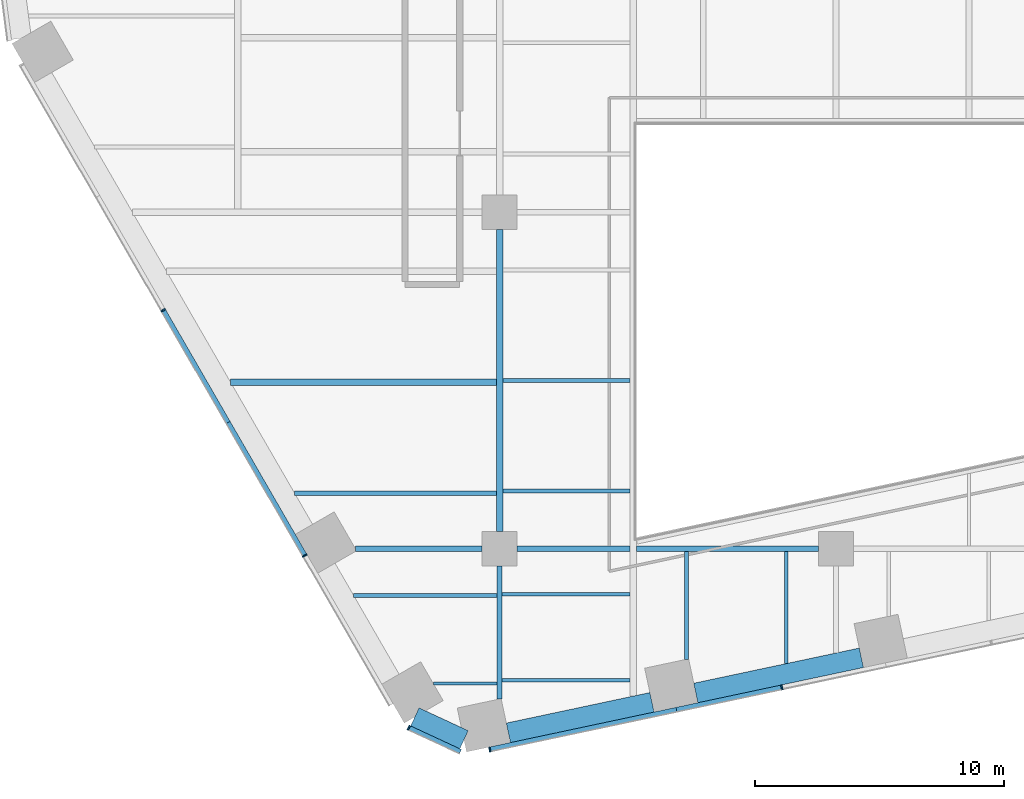
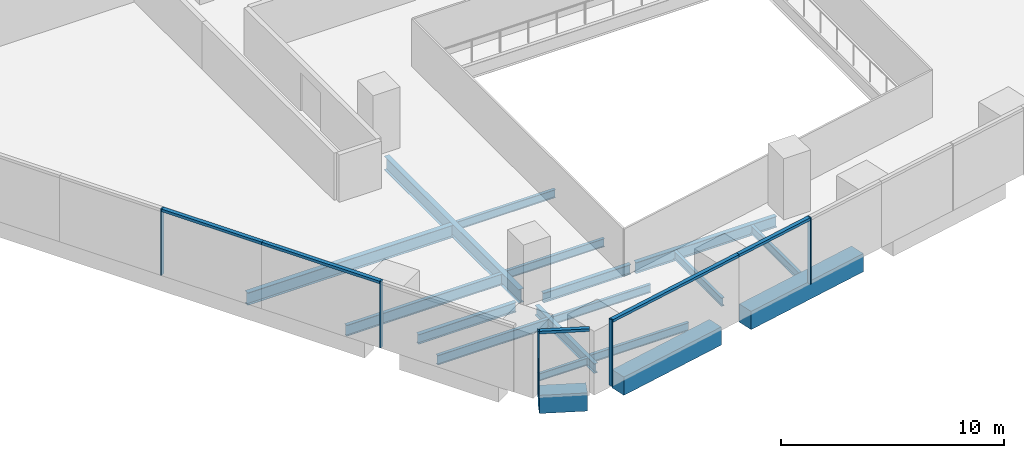
# One storey, part 2 of 20: 18 beams, 10 members, 3 elements without a shape of their own.
"""IFC4 building model written with IfcOpenShell, lengths in metres."""

import ifcopenshell
import ifcopenshell.guid

model = None  # the IFC model being written
_history = None  # IfcOwnerHistory: only IFC2X3 demands one
_inside = {}  # id of a spatial element -> (the spatial element, [elements in it])
_under = {}  # id of a project, library or spatial element -> (it, [spatial elements below it])
_declared = {}  # id of a project -> (the project, [libraries it declares])
_typed = {}  # id of a type object -> (the type object, [elements of that type])
_made_of = {}  # id of a material, layer set ... -> (it, [elements and type objects made of it])


def new_model(schema):
    """Start an empty IFC model of exactly this schema.

    Asked for "IFC4X3", IfcOpenShell would pick the latest addendum, in which some entities
    have other attributes; the version numbers below select the first issue.
    IFC2X3 requires an IfcOwnerHistory on every rooted entity: one is made here for all.
    """
    global model, _history
    if schema == "IFC4X3":
        model = ifcopenshell.file(schema_version=(4, 3, 0, 0))
    else:
        model = ifcopenshell.file(schema=schema)
    _inside.clear()
    _under.clear()
    _declared.clear()
    _typed.clear()
    _made_of.clear()
    _history = None
    if model.schema == "IFC2X3":
        org = make("IfcOrganization", Name="unknown")
        user = make(
            "IfcPersonAndOrganization",
            ThePerson=make("IfcPerson", FamilyName="unknown"),
            TheOrganization=org,
        )
        app = make(
            "IfcApplication",
            ApplicationDeveloper=org,
            Version="unknown",
            ApplicationFullName="unknown",
            ApplicationIdentifier="unknown",
        )
        _history = make(
            "IfcOwnerHistory",
            OwningUser=user,
            OwningApplication=app,
            ChangeAction="ADDED",
            CreationDate=0,
        )
    return model


def make(cls, **values):
    """One entity of the class cls with the attributes given. An attribute that is None is left unset."""
    return model.create_entity(
        cls, **{name: value for name, value in values.items() if value is not None}
    )


def rooted(cls, **values):
    """An entity with a GlobalId (a new one), such as an element, a storey or a relation."""
    return make(cls, GlobalId=ifcopenshell.guid.new(), OwnerHistory=_history, **values)


def si_unit(unit_type, name, prefix=None):
    """IfcSIUnit, for example si_unit("LENGTHUNIT", "METRE", prefix="MILLI")."""
    return make("IfcSIUnit", UnitType=unit_type, Prefix=prefix, Name=name)


def assignment(units):
    """IfcUnitAssignment: the units of a project."""
    return None if units is None else make("IfcUnitAssignment", Units=units)


def point(xyz):
    """IfcCartesianPoint."""
    return None if xyz is None else make("IfcCartesianPoint", Coordinates=xyz)


def direction(xyz):
    """IfcDirection."""
    return None if xyz is None else make("IfcDirection", DirectionRatios=xyz)


def frame(location, z_axis=None, x_axis=None):
    """IfcAxis2Placement3D, a coordinate frame: its origin and axes. An axis left out is left unset."""
    return make(
        "IfcAxis2Placement3D",
        Location=point(location),
        Axis=direction(z_axis),
        RefDirection=direction(x_axis),
    )


def frame_2d(location, x_axis=None):
    """IfcAxis2Placement2D, a coordinate frame in the plane: its origin and x axis."""
    return make(
        "IfcAxis2Placement2D", Location=point(location), RefDirection=direction(x_axis)
    )


def origin():
    """The frame at (0, 0, 0) with its axes left unset."""
    return frame((0.0, 0.0, 0.0))


def origin_2d():
    """The frame at (0, 0) in the plane with its x axis left unset."""
    return frame_2d((0.0, 0.0))


def place(relative_to, where):
    """IfcLocalPlacement: puts the frame where relative to a parent placement (None: the world)."""
    return make(
        "IfcLocalPlacement", PlacementRelTo=relative_to, RelativePlacement=where
    )


def context(
    kind, dimensions, precision=None, world=None, true_north=None, identifier=None
):
    """IfcGeometricRepresentationContext, for example the 3D "Model" context."""
    return make(
        "IfcGeometricRepresentationContext",
        ContextIdentifier=identifier,
        ContextType=kind,
        CoordinateSpaceDimension=dimensions,
        Precision=precision,
        WorldCoordinateSystem=world,
        TrueNorth=true_north,
    )


def subcontext(parent, identifier, kind, view, scale=None):
    """IfcGeometricRepresentationSubContext, for example "Body" below "Model"."""
    return make(
        "IfcGeometricRepresentationSubContext",
        ContextIdentifier=identifier,
        ContextType=kind,
        ParentContext=parent,
        TargetScale=scale,
        TargetView=view,
    )


def project(units=None, contexts=None):
    """IfcProject with its units and contexts."""
    return rooted(
        "IfcProject",
        Name="project",
        RepresentationContexts=contexts,
        UnitsInContext=assignment(units),
    )


def spatial(cls, under=None, at=None, **own):
    """A site, building, storey or space (cls), placed at a placement, below another one or the project."""
    s = rooted(cls, ObjectPlacement=at, **own)
    if under is not None:
        _under.setdefault(under.id(), (under, []))[1].append(s)
    return s


def profile(cls, at=None, kind="AREA", **sizes):
    """A parametric profile (cls). Its sizes go by their IFC names, for example OverallWidth=200.0."""
    return make(cls, ProfileType=kind, Position=at, **sizes)


def rectangle(**sizes):
    """IfcRectangleProfileDef."""
    return profile("IfcRectangleProfileDef", **sizes)


def i_section(**sizes):
    """IfcIShapeProfileDef."""
    return profile("IfcIShapeProfileDef", **sizes)


def extrude(swept, where, along, depth):
    """IfcExtrudedAreaSolid: the profile swept, set in the frame where, extruded along a direction by depth."""
    return make(
        "IfcExtrudedAreaSolid",
        SweptArea=swept,
        Position=where,
        ExtrudedDirection=direction(along),
        Depth=depth,
    )


def shape(context_of_items, identifier, shape_type, items):
    """IfcShapeRepresentation: the items that make up one representation, for example the "Body"."""
    return make(
        "IfcShapeRepresentation",
        ContextOfItems=context_of_items,
        RepresentationIdentifier=identifier,
        RepresentationType=shape_type,
        Items=items,
    )


def material(Name=None, Category=None):
    """IfcMaterial."""
    return make("IfcMaterial", Name=Name, Category=Category)


def layer(
    of_material, thickness, ventilated=None, Name=None, Category=None, Priority=None
):
    """IfcMaterialLayer: one layer of a wall or slab, of a material (None: an air gap)."""
    return make(
        "IfcMaterialLayer",
        Material=of_material,
        LayerThickness=thickness,
        IsVentilated=ventilated,
        Name=Name,
        Category=Category,
        Priority=Priority,
    )


def layer_set(layers, Name=None):
    """IfcMaterialLayerSet."""
    return make("IfcMaterialLayerSet", MaterialLayers=layers, LayerSetName=Name)


def material_profile(
    of_material, cross_section, Name=None, Category=None, Priority=None
):
    """IfcMaterialProfile: a cross section and its material."""
    return make(
        "IfcMaterialProfile",
        Name=Name,
        Material=of_material,
        Profile=cross_section,
        Priority=Priority,
        Category=Category,
    )


def profile_set(profiles, Name=None, composite=None):
    """IfcMaterialProfileSet."""
    return make(
        "IfcMaterialProfileSet",
        Name=Name,
        MaterialProfiles=profiles,
        CompositeProfile=composite,
    )


def made_of(thing, what):
    """Note that an element or type object is made of a material, layer set ...; save() writes the relation."""
    if what is not None:
        _made_of.setdefault(what.id(), (what, []))[1].append(thing)
    return thing


def type_object(cls, material=None, **own):
    """A type object (cls), such as IfcWallType, which elements share."""
    return made_of(rooted(cls, **own), material)


def element(
    cls,
    number,
    at=None,
    inside=None,
    cuts=None,
    type_object=None,
    material=None,
    context=None,
    identifier="Body",
    shape_type=None,
    held_by="IfcProductDefinitionShape",
    body=None,
    shapes=None,
    **own,
):
    """One element of the class cls, such as IfcWall. Its Tag is "e" and its number.

    at: its placement. inside: the storey or other place that contains it. cuts: it is an
    opening in that element (IfcRelVoidsElement). A single representation is given by context,
    identifier, shape_type and body (its items); several are given by shapes. held_by: the class
    of the entity that holds the representations. save() writes the other relations.
    """
    e = rooted(cls, Tag="e%d" % number, ObjectPlacement=at, **own)
    if body is not None:
        shapes = [shape(context, identifier, shape_type, body)]
    if shapes is not None:
        e.Representation = make(held_by, Representations=shapes)
    if inside is not None:
        _inside.setdefault(inside.id(), (inside, []))[1].append(e)
    if cuts is not None:
        rooted(
            "IfcRelVoidsElement", RelatingBuildingElement=cuts, RelatedOpeningElement=e
        )
    if type_object is not None:
        _typed.setdefault(type_object.id(), (type_object, []))[1].append(e)
    return made_of(e, material)


def aggregate(whole, parts):
    """IfcRelAggregates: a whole, such as a stair, and the parts it consists of."""
    return rooted("IfcRelAggregates", RelatingObject=whole, RelatedObjects=parts)


def save(model, path):
    """Write the relations noted so far, then the file.

    IfcRelAggregates (storeys below a building ...), IfcRelContainedInSpatialStructure (elements
    in a storey), IfcRelDefinesByType, IfcRelAssociatesMaterial and IfcRelDeclares: one each for
    every whole, place, type object, material and project.
    """
    for whole, parts in _under.values():
        aggregate(whole, parts)
    for where, things in _inside.values():
        rooted(
            "IfcRelContainedInSpatialStructure",
            RelatedElements=things,
            RelatingStructure=where,
        )
    for kind, things in _typed.values():
        rooted("IfcRelDefinesByType", RelatedObjects=things, RelatingType=kind)
    for what, things in _made_of.values():
        rooted("IfcRelAssociatesMaterial", RelatedObjects=things, RelatingMaterial=what)
    for by, libraries in _declared.values():
        rooted("IfcRelDeclares", RelatingContext=by, RelatedDefinitions=libraries)
    model.write(path)


model = new_model("IFC4")

# Units and contexts
model_context = context("Model", 3, precision=1e-05, world=origin(), true_north=direction((0.0, 1.0)))
body_context = subcontext(model_context, "Body", "Model", "MODEL_VIEW")
ifc_project = project(units=[si_unit("LENGTHUNIT", "METRE"), si_unit("AREAUNIT", "SQUARE_METRE"), si_unit("VOLUMEUNIT", "CUBIC_METRE"), si_unit("PLANEANGLEUNIT", "RADIAN"), si_unit("MASSUNIT", "GRAM", prefix="KILO")], contexts=[model_context])

# Site, building, storey
site_placement = place(None, origin())
site = spatial("IfcSite", under=ifc_project, at=site_placement, CompositionType="ELEMENT")
building_placement = place(site_placement, origin())
building = spatial("IfcBuilding", under=site, at=building_placement, Name="Isthmus Gate Tower", CompositionType="ELEMENT")
storey_placement = place(building_placement, frame((0.0, 0.0, 72.5)))
storey = spatial("IfcBuildingStorey", under=building, at=storey_placement, Name="L16", CompositionType="ELEMENT", Elevation=72.5)

# Curtain wall, members
ifc_material_1 = material(Name="Aluminium, pale champagne anodised", Category="aluminium")
ifc_layer = layer(ifc_material_1, 0.199951171875)
ifc_layer_set = layer_set([ifc_layer], Name="CW-1 UNITISED CURTAIN WALL 200 DEEP")
curtain_wall_type = type_object("IfcCurtainWallType", Name="CW-1 UNITISED CURTAIN WALL 200 DEEP", PredefinedType="NOTDEFINED", material=ifc_layer_set)
curtain_wall_1_placement = place(storey_placement, origin())
curtain_wall_1 = element("IfcCurtainWall", 1, at=curtain_wall_1_placement, inside=storey, type_object=curtain_wall_type, Name="CW-1 SW L16", PredefinedType="NOTDEFINED")
ifc_material_2 = material(Name="Aluminium, pale champagne anodised", Category="aluminium")
ifc_material_profile_1 = material_profile(ifc_material_2, rectangle(XDim=0.06005859375, YDim=0.199951171875, at=origin_2d()), Name="60x200")
ifc_profile_set_1 = profile_set([ifc_material_profile_1], Name="Aluminium, pale champagne anodised")
member_type_1 = type_object("IfcMemberType", Name="CW-1 MULLION 60 X 200", PredefinedType="MULLION", material=ifc_profile_set_1)
member_1_placement = place(storey_placement, frame((-27.001708984375, -17.431640625, 0.0), z_axis=(0.0, 0.0, 1.0), x_axis=(0.5, -0.866025403784, 0.0)))
member_1 = element("IfcMember", 2, at=member_1_placement, type_object=member_type_1, Name="CW-1 mullion", PredefinedType="MULLION", context=body_context, shape_type="SweptSolid", body=[
    extrude(rectangle(XDim=0.06005859375, YDim=0.199951171875, at=origin_2d()), origin(), (0.0, 0.0, 1.0), 3.64990234375),
])
member_2_placement = place(storey_placement, frame((-21.318115234375, -27.27587890625, 0.0), z_axis=(0.0, 0.0, 1.0), x_axis=(0.5, -0.866025403784, 0.0)))
member_2 = element("IfcMember", 3, at=member_2_placement, type_object=member_type_1, Name="CW-1 mullion", PredefinedType="MULLION", context=body_context, shape_type="SweptSolid", body=[
    extrude(rectangle(XDim=0.06005859375, YDim=0.199951171875, at=origin_2d()), origin(), (0.0, 0.0, 1.0), 3.64990234375),
])

# Curtain wall, member
curtain_wall_2_placement = place(storey_placement, origin())
curtain_wall_2 = element("IfcCurtainWall", 4, at=curtain_wall_2_placement, inside=storey, type_object=curtain_wall_type, Name="CW-1 SW-S L16", PredefinedType="NOTDEFINED")
member_3_placement = place(storey_placement, frame((-17.14794921875, -34.184814453125, 0.0), z_axis=(0.0, 0.0, 1.0), x_axis=(0.907256261367, -0.420578264073, 0.0)))
member_3 = element("IfcMember", 5, at=member_3_placement, type_object=member_type_1, Name="CW-1 mullion", PredefinedType="MULLION", context=body_context, shape_type="SweptSolid", body=[
    extrude(rectangle(XDim=0.06005859375, YDim=0.199951171875, at=origin_2d()), origin(), (0.0, 0.0, 1.0), 3.64990234375),
])

# Curtain wall, members
curtain_wall_3_placement = place(storey_placement, origin())
curtain_wall_3 = element("IfcCurtainWall", 6, at=curtain_wall_3_placement, inside=storey, type_object=curtain_wall_type, Name="CW-1 S L16", PredefinedType="NOTDEFINED")
member_4_placement = place(storey_placement, frame((-13.89501953125, -35.0556640625, 0.0), z_axis=(0.0, 0.0, 1.0), x_axis=(0.978147600734, 0.207911690818, 0.0)))
member_4 = element("IfcMember", 7, at=member_4_placement, type_object=member_type_1, Name="CW-1 mullion", PredefinedType="MULLION", context=body_context, shape_type="SweptSolid", body=[
    extrude(rectangle(XDim=0.06005859375, YDim=0.199951171875, at=origin_2d()), origin(), (0.0, 0.0, 1.0), 3.64990234375),
])
member_5_placement = place(storey_placement, frame((-2.1728515625, -32.564208984375, 0.0), z_axis=(0.0, 0.0, 1.0), x_axis=(0.978147600734, 0.207911690818, 0.0)))
member_5 = element("IfcMember", 8, at=member_5_placement, type_object=member_type_1, Name="CW-1 mullion", PredefinedType="MULLION", context=body_context, shape_type="SweptSolid", body=[
    extrude(rectangle(XDim=0.06005859375, YDim=0.199951171875, at=origin_2d()), origin(), (0.0, 0.0, 1.0), 3.64990234375),
])

# Member
ifc_material_3 = material(Name="Aluminium, pale champagne anodised", Category="aluminium")
ifc_material_profile_2 = material_profile(ifc_material_3, rectangle(XDim=0.199951171875, YDim=0.14990234375, at=origin_2d()), Name="200x150")
ifc_profile_set_2 = profile_set([ifc_material_profile_2], Name="Aluminium, pale champagne anodised")
member_type_2 = type_object("IfcMemberType", Name="CW-1 TRANSOM 200 X 150", PredefinedType="USERDEFINED", material=ifc_profile_set_2)
member_6_placement = place(storey_placement, frame((-26.98681640625, -17.45751953125, 3.574951171875), z_axis=(0.49999612508, -0.866027640959, 0.0), x_axis=(0.866027640959, 0.49999612508, 0.0)))
member_6 = element("IfcMember", 9, at=member_6_placement, type_object=member_type_2, Name="CW-1 transom", ObjectType="TRANSOM", PredefinedType="USERDEFINED", context=body_context, shape_type="SweptSolid", body=[
    extrude(rectangle(XDim=0.199951171875, YDim=0.14990234375, at=origin_2d()), origin(), (0.0, 0.0, 1.0), 5.173828125),
])

member_7_placement = place(storey_placement, frame((-24.39990234375, -21.938232421875, 3.574951171875), z_axis=(0.500017618927, -0.866015231253, 0.0), x_axis=(0.866015231253, 0.500017618927, 0.0)))
member_7 = element("IfcMember", 10, at=member_7_placement, type_object=member_type_2, Name="CW-1 transom", ObjectType="TRANSOM", PredefinedType="USERDEFINED", context=body_context, shape_type="SweptSolid", body=[
    extrude(rectangle(XDim=0.199951171875, YDim=0.14990234375, at=origin_2d()), origin(), (0.0, 0.0, 1.0), 6.133544921875),
])

aggregate(curtain_wall_1, [member_1, member_6, member_7, member_2])

member_8_placement = place(storey_placement, frame((-17.120849609375, -34.197509765625, 3.574951171875), z_axis=(0.907246225564, -0.420599912268, 0.0), x_axis=(0.420599912268, 0.907246225564, 0.0)))
member_8 = element("IfcMember", 11, at=member_8_placement, type_object=member_type_2, Name="CW-1 transom", ObjectType="TRANSOM", PredefinedType="USERDEFINED", context=body_context, shape_type="SweptSolid", body=[
    extrude(rectangle(XDim=0.199951171875, YDim=0.14990234375, at=origin_2d()), origin(), (0.0, 0.0, 1.0), 2.258544921875),
])

aggregate(curtain_wall_2, [member_3, member_8])

member_9_placement = place(storey_placement, frame((-13.86572265625, -35.049560546875, 3.574951171875), z_axis=(0.978149009137, 0.20790506469, 0.0), x_axis=(-0.20790506469, 0.978149009137, 0.0)))
member_9 = element("IfcMember", 12, at=member_9_placement, type_object=member_type_2, Name="CW-1 transom", ObjectType="TRANSOM", PredefinedType="USERDEFINED", context=body_context, shape_type="SweptSolid", body=[
    extrude(rectangle(XDim=0.199951171875, YDim=0.14990234375, at=origin_2d()), origin(), (0.0, 0.0, 1.0), 7.62939453125),
])

member_10_placement = place(storey_placement, frame((-6.403076171875, -33.46337890625, 3.574951171875), z_axis=(0.97813890815, 0.207952582007, 0.0), x_axis=(-0.207952582007, 0.97813890815, 0.0)))
member_10 = element("IfcMember", 13, at=member_10_placement, type_object=member_type_2, Name="CW-1 transom", ObjectType="TRANSOM", PredefinedType="USERDEFINED", context=body_context, shape_type="SweptSolid", body=[
    extrude(rectangle(XDim=0.199951171875, YDim=0.14990234375, at=origin_2d()), origin(), (0.0, 0.0, 1.0), 4.294677734375),
])

aggregate(curtain_wall_3, [member_4, member_9, member_10, member_5])

# Beams
ifc_material_4 = material(Name="Concrete f'c 70 MPa", Category="concrete")
ifc_material_profile_3 = material_profile(ifc_material_4, rectangle(XDim=0.800048828125, YDim=1.0, at=origin_2d()), Name="RC 800X1000")
ifc_profile_set_3 = profile_set([ifc_material_profile_3], Name="Concrete f'c 70 MPa")
beam_type_1 = type_object("IfcBeamType", Name="RC SPANDREL 800 X 1000", PredefinedType="SPANDREL", material=ifc_profile_set_3)
beam_1_placement = place(storey_placement, frame((1.01416015625, -31.37548828125, -0.5), z_axis=(-0.978145779981, -0.207920256603, 0.0), x_axis=(0.207920256603, -0.978145779981, 0.0)))
element("IfcBeam", 14, at=beam_1_placement, inside=storey, type_object=beam_type_1, Name="str-spandrel-L16-12", PredefinedType="SPANDREL", context=body_context, shape_type="SweptSolid", body=[
    extrude(rectangle(XDim=0.800048828125, YDim=1.0, at=origin_2d()), origin(), (0.0, 0.0, 1.0), 6.789306640625),
])
beam_2_placement = place(storey_placement, frame((-7.387451171875, -33.161376953125, -0.5), z_axis=(-0.978149894464, -0.207900899374, 0.0), x_axis=(0.207900899374, -0.978149894464, 0.0)))
element("IfcBeam", 15, at=beam_2_placement, inside=storey, type_object=beam_type_1, Name="str-spandrel-L16-13", PredefinedType="SPANDREL", context=body_context, shape_type="SweptSolid", body=[
    extrude(rectangle(XDim=0.800048828125, YDim=1.0, at=origin_2d()), origin(), (0.0, 0.0, 1.0), 5.88916015625),
])
beam_3_placement = place(storey_placement, frame((-14.929443359375, -34.662109375, -0.5), z_axis=(-0.907290744498, 0.420503870314, 0.0), x_axis=(-0.420503870314, -0.907290744498, 0.0)))
element("IfcBeam", 16, at=beam_3_placement, inside=storey, type_object=beam_type_1, Name="str-spandrel-L16-14", PredefinedType="SPANDREL", context=body_context, shape_type="SweptSolid", body=[
    extrude(rectangle(XDim=0.800048828125, YDim=1.0, at=origin_2d()), origin(), (0.0, 0.0, 1.0), 2.173095703125),
])
ifc_material_5 = material(Name="Structural steel ASTM A992 Gr 50", Category="steel")
ifc_material_profile_4 = material_profile(ifc_material_5, i_section(OverallWidth=0.1396484375, OverallDepth=0.4033203125, WebThickness=0.00634765625, FlangeThickness=0.010986328125, at=origin_2d()), Name="W16X31")
ifc_profile_set_4 = profile_set([ifc_material_profile_4], Name="Structural steel ASTM A992 Gr 50")
beam_type_2 = type_object("IfcBeamType", Name="STEEL FLOOR BEAM W16X31", PredefinedType="JOIST", material=ifc_profile_set_4)
beam_4_placement = place(storey_placement, frame((-16.162353515625, -32.406005859375, -0.3515625), z_axis=(1.0, 0.0, 0.0), x_axis=(0.0, 1.0, 0.0)))
element("IfcBeam", 17, at=beam_4_placement, inside=storey, type_object=beam_type_2, Name="str-beam-L16-09-00", PredefinedType="JOIST", context=body_context, shape_type="SweptSolid", body=[
    extrude(i_section(OverallWidth=0.1396484375, OverallDepth=0.4033203125, WebThickness=0.00634765625, FlangeThickness=0.010986328125, at=origin_2d()), origin(), (0.0, 0.0, 1.0), 2.5576171875),
])
ifc_material_6 = material(Name="Structural steel ASTM A992 Gr 50", Category="steel")
ifc_material_profile_5 = material_profile(ifc_material_6, i_section(OverallWidth=0.15234375, OverallDepth=0.45068359375, WebThickness=0.0078125, FlangeThickness=0.010986328125, at=origin_2d()), Name="W18X35")
ifc_profile_set_5 = profile_set([ifc_material_profile_5], Name="Structural steel ASTM A992 Gr 50")
beam_type_3 = type_object("IfcBeamType", Name="STEEL FLOOR BEAM W18X35", PredefinedType="JOIST", material=ifc_profile_set_5)
for number, where, z_axis, x_axis, name in (
    (18, (-13.395263671875, -32.27197265625, -0.37548828125), (1.0, 0.0, 0.0), (0.0, 1.0, 0.0), "str-beam-L16-10-00"),
    (19, (-13.395263671875, -28.8271484375, -0.37548828125), (1.0, 0.0, 0.0), (0.0, 1.0, 0.0), "str-beam-L16-10-01"),
):
    element("IfcBeam", number, at=place(storey_placement, frame(where, z_axis=z_axis, x_axis=x_axis)), inside=storey, type_object=beam_type_3, Name=name, PredefinedType="JOIST", context=body_context, shape_type="SweptSolid", body=[
        extrude(i_section(OverallWidth=0.15234375, OverallDepth=0.45068359375, WebThickness=0.0078125, FlangeThickness=0.010986328125, at=origin_2d()), origin(), (0.0, 0.0, 1.0), 5.128662109375),
    ])
for number, where, z_axis, x_axis, name in (
    (20, (-13.3681640625, -24.68017578125, -0.37548828125), (1.0, 0.0, 0.0), (0.0, 1.0, 0.0), "str-beam-L16-12-00"),
    (21, (-13.3681640625, -20.25, -0.37548828125), (1.0, 0.0, 0.0), (0.0, 1.0, 0.0), "str-beam-L16-12-01"),
):
    element("IfcBeam", number, at=place(storey_placement, frame(where, z_axis=z_axis, x_axis=x_axis)), inside=storey, type_object=beam_type_3, Name=name, PredefinedType="JOIST", context=body_context, shape_type="SweptSolid", body=[
        extrude(i_section(OverallWidth=0.15234375, OverallDepth=0.45068359375, WebThickness=0.0078125, FlangeThickness=0.010986328125, at=origin_2d()), origin(), (0.0, 0.0, 1.0), 5.1015625),
    ])
beam_5_placement = place(storey_placement, frame((-6.0, -31.43505859375, -0.37548828125), z_axis=(0.0, 1.0, 0.0), x_axis=(-1.0, 0.0, 0.0)))
element("IfcBeam", 22, at=beam_5_placement, inside=storey, type_object=beam_type_3, Name="str-beam-L16-15-00", PredefinedType="JOIST", context=body_context, shape_type="SweptSolid", body=[
    extrude(i_section(OverallWidth=0.15234375, OverallDepth=0.45068359375, WebThickness=0.0078125, FlangeThickness=0.010986328125, at=origin_2d()), origin(), (0.0, 0.0, 1.0), 4.32080078125),
])
beam_6_placement = place(storey_placement, frame((-2.0, -31.607177734375, -0.37548828125), z_axis=(0.0, 1.0, 0.0), x_axis=(-1.0, 0.0, 0.0)))
element("IfcBeam", 23, at=beam_6_placement, inside=storey, type_object=beam_type_3, Name="str-beam-L16-15-01", PredefinedType="JOIST", context=body_context, shape_type="SweptSolid", body=[
    extrude(i_section(OverallWidth=0.15234375, OverallDepth=0.45068359375, WebThickness=0.0078125, FlangeThickness=0.010986328125, at=origin_2d()), origin(), (0.0, 0.0, 1.0), 4.492919921875),
])
ifc_material_7 = material(Name="Structural steel ASTM A992 Gr 50", Category="steel")
ifc_material_profile_6 = material_profile(ifc_material_7, i_section(OverallWidth=0.1650390625, OverallDepth=0.52392578125, WebThickness=0.009521484375, FlangeThickness=0.010986328125, at=origin_2d()), Name="W21X44")
ifc_profile_set_6 = profile_set([ifc_material_profile_6], Name="Structural steel ASTM A992 Gr 50")
beam_type_4 = type_object("IfcBeamType", Name="STEEL FLOOR BEAM W21X44", PredefinedType="JOIST", material=ifc_profile_set_6)
beam_7_placement = place(storey_placement, frame((-19.357421875, -28.871826171875, -0.411865234375), z_axis=(1.0, 0.0, 0.0), x_axis=(0.0, 1.0, 0.0)))
element("IfcBeam", 24, at=beam_7_placement, inside=storey, type_object=beam_type_4, Name="str-beam-L16-09-01", PredefinedType="JOIST", context=body_context, shape_type="SweptSolid", body=[
    extrude(i_section(OverallWidth=0.1650390625, OverallDepth=0.52392578125, WebThickness=0.009521484375, FlangeThickness=0.010986328125, at=origin_2d()), origin(), (0.0, 0.0, 1.0), 5.752685546875),
])
ifc_material_8 = material(Name="Structural steel ASTM A992 Gr 50", Category="steel")
ifc_material_profile_7 = material_profile(ifc_material_8, i_section(OverallWidth=0.177734375, OverallDepth=0.60009765625, WebThickness=0.009521484375, FlangeThickness=0.0126953125, at=origin_2d()), Name="W24X55")
ifc_profile_set_7 = profile_set([ifc_material_profile_7], Name="Structural steel ASTM A992 Gr 50")
beam_type_5 = type_object("IfcBeamType", Name="STEEL FLOOR BEAM W24X55", PredefinedType="JOIST", material=ifc_profile_set_7)
beam_8_placement = place(storey_placement, frame((-21.724365234375, -24.772216796875, -0.449951171875), z_axis=(1.0, 0.0, 0.0), x_axis=(0.0, 1.0, 0.0)))
element("IfcBeam", 25, at=beam_8_placement, inside=storey, type_object=beam_type_5, Name="str-beam-L16-05-00", PredefinedType="JOIST", context=body_context, shape_type="SweptSolid", body=[
    extrude(i_section(OverallWidth=0.177734375, OverallDepth=0.60009765625, WebThickness=0.009521484375, FlangeThickness=0.0126953125, at=origin_2d()), origin(), (0.0, 0.0, 1.0), 8.092529296875),
])
ifc_material_9 = material(Name="Structural steel ASTM A992 Gr 50", Category="steel")
ifc_material_profile_8 = material_profile(ifc_material_9, i_section(OverallWidth=0.25390625, OverallDepth=0.679443359375, WebThickness=0.010986328125, FlangeThickness=0.015869140625, at=origin_2d()), Name="W27X84")
ifc_profile_set_8 = profile_set([ifc_material_profile_8], Name="Structural steel ASTM A992 Gr 50")
beam_type_6 = type_object("IfcBeamType", Name="STEEL FLOOR BEAM W27X84", PredefinedType="JOIST", material=ifc_profile_set_8)
beam_9_placement = place(storey_placement, frame((-24.296875, -20.316650390625, -0.48974609375), z_axis=(1.0, 0.0, 0.0), x_axis=(0.0, 1.0, 0.0)))
element("IfcBeam", 26, at=beam_9_placement, inside=storey, type_object=beam_type_6, Name="str-beam-L16-05-01", PredefinedType="JOIST", context=body_context, shape_type="SweptSolid", body=[
    extrude(i_section(OverallWidth=0.25390625, OverallDepth=0.679443359375, WebThickness=0.010986328125, FlangeThickness=0.015869140625, at=origin_2d()), origin(), (0.0, 0.0, 1.0), 10.6650390625),
])
ifc_material_10 = material(Name="Structural steel ASTM A992 Gr 50", Category="steel")
ifc_material_profile_9 = material_profile(ifc_material_10, i_section(OverallWidth=0.20947265625, OverallDepth=0.533447265625, WebThickness=0.009521484375, FlangeThickness=0.015869140625, at=origin_2d()), Name="W21X62")
ifc_profile_set_9 = profile_set([ifc_material_profile_9], Name="Structural steel ASTM A992 Gr 50")
beam_type_7 = type_object("IfcBeamType", Name="STEEL GIRDER W21X62", PredefinedType="BEAM", material=ifc_profile_set_9)
beam_10_placement = place(storey_placement, frame((-19.283447265625, -27.0, -0.416748046875), z_axis=(1.0, 0.0, 0.0), x_axis=(0.0, 1.0, 0.0)))
element("IfcBeam", 27, at=beam_10_placement, inside=storey, type_object=beam_type_7, Name="str-girder-L16-01", PredefinedType="BEAM", context=body_context, shape_type="SweptSolid", body=[
    extrude(i_section(OverallWidth=0.20947265625, OverallDepth=0.533447265625, WebThickness=0.009521484375, FlangeThickness=0.015869140625, at=origin_2d()), origin(), (0.0, 0.0, 1.0), 5.08349609375),
])
beam_11_placement = place(storey_placement, frame((-12.800048828125, -27.0, -0.416748046875), z_axis=(1.0, 0.0, 0.0), x_axis=(0.0, 1.0, 0.0)))
element("IfcBeam", 28, at=beam_11_placement, inside=storey, type_object=beam_type_7, Name="str-girder-L16-02", PredefinedType="BEAM", context=body_context, shape_type="SweptSolid", body=[
    extrude(i_section(OverallWidth=0.20947265625, OverallDepth=0.533447265625, WebThickness=0.009521484375, FlangeThickness=0.015869140625, at=origin_2d()), origin(), (0.0, 0.0, 1.0), 4.533447265625),
])
beam_12_placement = place(storey_placement, frame((-13.5, -33.029296875, -0.416748046875), z_axis=(0.0, 1.0, 0.0), x_axis=(-1.0, 0.0, 0.0)))
element("IfcBeam", 29, at=beam_12_placement, inside=storey, type_object=beam_type_7, Name="str-girder-L16-23", PredefinedType="BEAM", context=body_context, shape_type="SweptSolid", body=[
    extrude(i_section(OverallWidth=0.20947265625, OverallDepth=0.533447265625, WebThickness=0.009521484375, FlangeThickness=0.015869140625, at=origin_2d()), origin(), (0.0, 0.0, 1.0), 5.329345703125),
])
ifc_material_11 = material(Name="Structural steel ASTM A992 Gr 50", Category="steel")
ifc_material_profile_10 = material_profile(ifc_material_11, i_section(OverallWidth=0.228515625, OverallDepth=0.603271484375, WebThickness=0.010986328125, FlangeThickness=0.014404296875, at=origin_2d()), Name="W24X68")
ifc_profile_set_10 = profile_set([ifc_material_profile_10], Name="Structural steel ASTM A992 Gr 50")
beam_type_8 = type_object("IfcBeamType", Name="STEEL GIRDER W24X68", PredefinedType="BEAM", material=ifc_profile_set_10)
beam_13_placement = place(storey_placement, frame((-8.0, -27.0, -0.45166015625), z_axis=(1.0, 0.0, 0.0), x_axis=(0.0, 1.0, 0.0)))
element("IfcBeam", 30, at=beam_13_placement, inside=storey, type_object=beam_type_8, Name="str-girder-L16-03", PredefinedType="BEAM", context=body_context, shape_type="SweptSolid", body=[
    extrude(i_section(OverallWidth=0.228515625, OverallDepth=0.603271484375, WebThickness=0.010986328125, FlangeThickness=0.014404296875, at=origin_2d()), origin(), (0.0, 0.0, 1.0), 7.300048828125),
])
ifc_material_12 = material(Name="Structural steel ASTM A992 Gr 50", Category="steel")
ifc_material_profile_11 = material_profile(ifc_material_12, i_section(OverallWidth=0.263427734375, OverallDepth=0.749267578125, WebThickness=0.0126953125, FlangeThickness=0.015869140625, at=origin_2d()), Name="W30X90")
ifc_profile_set_11 = profile_set([ifc_material_profile_11], Name="Structural steel ASTM A992 Gr 50")
beam_type_9 = type_object("IfcBeamType", Name="STEEL GIRDER W30X90", PredefinedType="BEAM", material=ifc_profile_set_11)
beam_14_placement = place(storey_placement, frame((-13.5, -26.300048828125, -0.524658203125), z_axis=(0.0, 1.0, 0.0), x_axis=(-1.0, 0.0, 0.0)))
element("IfcBeam", 31, at=beam_14_placement, inside=storey, type_object=beam_type_9, Name="str-girder-L16-24", PredefinedType="BEAM", context=body_context, shape_type="SweptSolid", body=[
    extrude(i_section(OverallWidth=0.263427734375, OverallDepth=0.749267578125, WebThickness=0.0126953125, FlangeThickness=0.015869140625, at=origin_2d()), origin(), (0.0, 0.0, 1.0), 12.10009765625),
])

save(model, "model.ifc")
